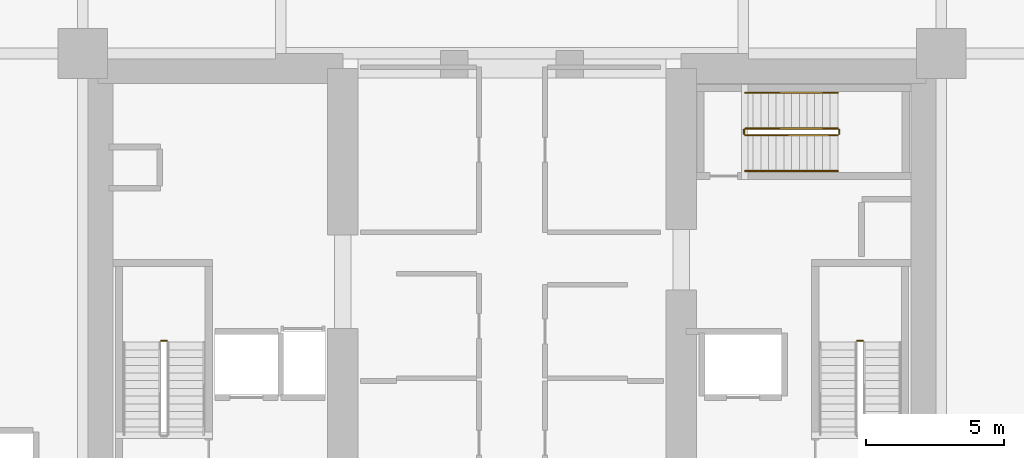
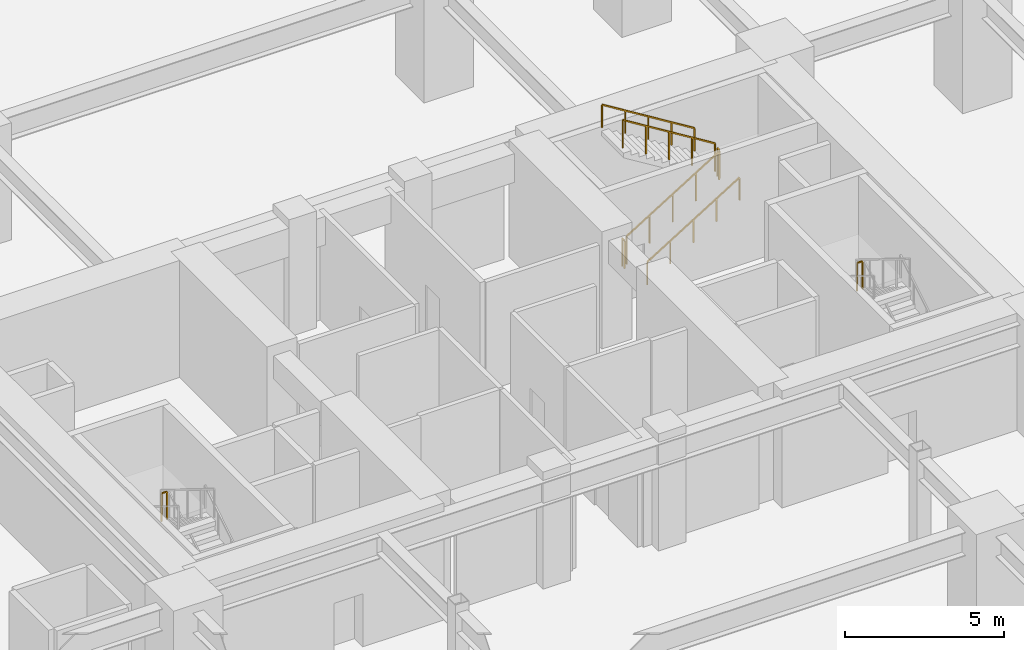
# One storey, part 17 of 20: 8 railings.
"""IFC4 building model written with IfcOpenShell, lengths in metres."""

from ifc_helpers import new_model, si_unit, direction, frame, origin, origin_2d, place, context, subcontext, project, spatial, rectangle, extrude, material, type_object, element, save


model = new_model("IFC4")

# Units and contexts
model_context = context("Model", 3, precision=1e-05, world=origin(), true_north=direction((0.0, 1.0)))
body_context = subcontext(model_context, "Body", "Model", "MODEL_VIEW")
ifc_project = project(units=[si_unit("LENGTHUNIT", "METRE"), si_unit("AREAUNIT", "SQUARE_METRE"), si_unit("VOLUMEUNIT", "CUBIC_METRE"), si_unit("PLANEANGLEUNIT", "RADIAN"), si_unit("MASSUNIT", "GRAM", prefix="KILO")], contexts=[model_context])

# Site, building, storey
site_placement = place(None, origin())
site = spatial("IfcSite", under=ifc_project, at=site_placement, CompositionType="ELEMENT")
building_placement = place(site_placement, origin())
building = spatial("IfcBuilding", under=site, at=building_placement, Name="Kiyonajd Concourse Tower", CompositionType="ELEMENT")
storey_placement = place(building_placement, frame((0.0, 0.0, -4.5)))
storey = spatial("IfcBuildingStorey", under=building, at=storey_placement, Name="B1", CompositionType="ELEMENT", Elevation=-4.5)

# Railings
ifc_material_1 = material(Name="Steel ASTM A500 Grade C", Category="steel")
railing_type_1 = type_object("IfcRailingType", Name="RL-GRD-STR", PredefinedType="GUARDRAIL", material=ifc_material_1)
for number, where, name in (
    (1, (35.449951171875, 33.9599609375, 2.25), "B1 ST1 stair guard 2"),
    (2, (60.75, 33.9599609375, 2.25), "B1 ST2 stair guard 2"),
):
    element("IfcRailing", number, at=place(storey_placement, frame(where)), inside=storey, type_object=railing_type_1, Name=name, PredefinedType="GUARDRAIL", context=body_context, shape_type="SweptSolid", body=[
        extrude(rectangle(XDim=0.048095703125, YDim=0.048095703125, at=origin_2d()), frame((0.0, 0.0, 1.076171875), z_axis=(-1.0, 0.0, 0.0), x_axis=(0.0, -1.0, 0.0)), (0.0, 0.0, 1.0), 0.199951171875),
        extrude(rectangle(XDim=0.0419921875, YDim=0.0419921875, at=origin_2d()), origin(), (0.0, 0.0, 1.0), 1.052001953125),
        extrude(rectangle(XDim=0.0419921875, YDim=0.0419921875, at=origin_2d()), frame((-0.199951171875, 0.0, 0.0)), (0.0, 0.0, 1.0), 1.052001953125),
    ])
railing_1_placement = place(storey_placement, frame((56.47998046875, 41.429931640625, 0.173095703125)))
element("IfcRailing", 3, at=railing_1_placement, inside=storey, type_object=railing_type_1, Name="B1 ST3 stair guard 1", PredefinedType="GUARDRAIL", context=body_context, shape_type="SweptSolid", body=[
    extrude(rectangle(XDim=0.048095703125, YDim=0.048095703125, at=origin_2d()), frame((0.0, 0.0, 1.076171875), z_axis=(0.850623216509, 0.0, 0.525775754039), x_axis=(0.0, 1.0, 0.0)), (0.0, 0.0, 1.0), 3.9501953125),
    extrude(rectangle(XDim=0.0419921875, YDim=0.0419921875, at=origin_2d()), origin(), (0.0, 0.0, 1.0), 1.052001953125),
    extrude(rectangle(XDim=0.0419921875, YDim=0.0419921875, at=origin_2d()), frame((0.840087890625, 0.0, 0.519287109375)), (0.0, 0.0, 1.0), 1.052001953125),
    extrude(rectangle(XDim=0.0419921875, YDim=0.0419921875, at=origin_2d()), frame((1.68017578125, 0.0, 1.03857421875)), (0.0, 0.0, 1.0), 1.052001953125),
    extrude(rectangle(XDim=0.0419921875, YDim=0.0419921875, at=origin_2d()), frame((2.52001953125, 0.0, 1.5576171875)), (0.0, 0.0, 1.0), 1.052001953125),
    extrude(rectangle(XDim=0.0419921875, YDim=0.0419921875, at=origin_2d()), frame((3.360107421875, 0.0, 2.076904296875)), (0.0, 0.0, 1.0), 1.052001953125),
])
railing_2_placement = place(storey_placement, frame((59.889892578125, 41.47998046875, 2.25)))
element("IfcRailing", 4, at=railing_2_placement, inside=storey, type_object=railing_type_1, Name="B1 ST3 stair guard 2", PredefinedType="GUARDRAIL", context=body_context, shape_type="SweptSolid", body=[
    extrude(rectangle(XDim=0.048095703125, YDim=0.048095703125, at=origin_2d()), frame((0.0, 0.0, 1.076171875), z_axis=(0.0, 1.0, 0.0), x_axis=(-1.0, 0.0, 0.0)), (0.0, 0.0, 1.0), 0.14013671875),
    extrude(rectangle(XDim=0.0419921875, YDim=0.0419921875, at=origin_2d()), origin(), (0.0, 0.0, 1.0), 1.052001953125),
    extrude(rectangle(XDim=0.0419921875, YDim=0.0419921875, at=origin_2d()), frame((0.0, 0.14013671875, 0.0)), (0.0, 0.0, 1.0), 1.052001953125),
])
railing_3_placement = place(storey_placement, frame((59.840087890625, 41.669921875, 2.423095703125)))
element("IfcRailing", 5, at=railing_3_placement, inside=storey, type_object=railing_type_1, Name="B1 ST3 stair guard 3", PredefinedType="GUARDRAIL", context=body_context, shape_type="SweptSolid", body=[
    extrude(rectangle(XDim=0.048095703125, YDim=0.048095703125, at=origin_2d()), frame((0.0, 0.0, 1.076171875), z_axis=(-0.850623216509, 0.0, 0.525775754039), x_axis=(0.0, -1.0, 0.0)), (0.0, 0.0, 1.0), 3.9501953125),
    extrude(rectangle(XDim=0.0419921875, YDim=0.0419921875, at=origin_2d()), origin(), (0.0, 0.0, 1.0), 1.052001953125),
    extrude(rectangle(XDim=0.0419921875, YDim=0.0419921875, at=origin_2d()), frame((-0.840087890625, 0.0, 0.519287109375)), (0.0, 0.0, 1.0), 1.052001953125),
    extrude(rectangle(XDim=0.0419921875, YDim=0.0419921875, at=origin_2d()), frame((-1.68017578125, 0.0, 1.03857421875)), (0.0, 0.0, 1.0), 1.052001953125),
    extrude(rectangle(XDim=0.0419921875, YDim=0.0419921875, at=origin_2d()), frame((-2.52001953125, 0.0, 1.5576171875)), (0.0, 0.0, 1.0), 1.052001953125),
    extrude(rectangle(XDim=0.0419921875, YDim=0.0419921875, at=origin_2d()), frame((-3.360107421875, 0.0, 2.076904296875)), (0.0, 0.0, 1.0), 1.052001953125),
])
railing_4_placement = place(storey_placement, frame((56.429931640625, 41.47998046875, 0.0)))
element("IfcRailing", 6, at=railing_4_placement, inside=storey, type_object=railing_type_1, Name="B1 ST3 stair guard 4", PredefinedType="GUARDRAIL", context=body_context, shape_type="SweptSolid", body=[
    extrude(rectangle(XDim=0.048095703125, YDim=0.048095703125, at=origin_2d()), frame((0.0, 0.0, 1.076171875), z_axis=(0.0, 1.0, 0.0), x_axis=(-1.0, 0.0, 0.0)), (0.0, 0.0, 1.0), 0.14013671875),
    extrude(rectangle(XDim=0.0419921875, YDim=0.0419921875, at=origin_2d()), origin(), (0.0, 0.0, 1.0), 1.052001953125),
    extrude(rectangle(XDim=0.0419921875, YDim=0.0419921875, at=origin_2d()), frame((0.0, 0.14013671875, 0.0)), (0.0, 0.0, 1.0), 1.052001953125),
])
ifc_material_2 = material(Name="Brushed Stainless Steel Cab Assembly", Category="steel")
railing_type_2 = type_object("IfcRailingType", Name="RL-HND-900", PredefinedType="HANDRAIL", material=ifc_material_2)
railing_5_placement = place(storey_placement, frame((56.47998046875, 40.1298828125, 0.173095703125)))
element("IfcRailing", 7, at=railing_5_placement, inside=storey, type_object=railing_type_2, Name="B1 ST3 stair handrail 1", PredefinedType="HANDRAIL", context=body_context, shape_type="SweptSolid", body=[
    extrude(rectangle(XDim=0.048095703125, YDim=0.048095703125, at=origin_2d()), frame((0.0, 0.0, 0.8759765625), z_axis=(0.850623216509, 0.0, 0.525775754039), x_axis=(0.0, 1.0, 0.0)), (0.0, 0.0, 1.0), 3.9501953125),
    extrude(rectangle(XDim=0.0419921875, YDim=0.0419921875, at=origin_2d()), origin(), (0.0, 0.0, 1.0), 0.851806640625),
    extrude(rectangle(XDim=0.0419921875, YDim=0.0419921875, at=origin_2d()), frame((0.840087890625, 0.0, 0.519287109375)), (0.0, 0.0, 1.0), 0.851806640625),
    extrude(rectangle(XDim=0.0419921875, YDim=0.0419921875, at=origin_2d()), frame((1.68017578125, 0.0, 1.03857421875)), (0.0, 0.0, 1.0), 0.851806640625),
    extrude(rectangle(XDim=0.0419921875, YDim=0.0419921875, at=origin_2d()), frame((2.52001953125, 0.0, 1.5576171875)), (0.0, 0.0, 1.0), 0.851806640625),
    extrude(rectangle(XDim=0.0419921875, YDim=0.0419921875, at=origin_2d()), frame((3.360107421875, 0.0, 2.076904296875)), (0.0, 0.0, 1.0), 0.851806640625),
])
railing_6_placement = place(storey_placement, frame((59.840087890625, 42.969970703125, 2.423095703125)))
element("IfcRailing", 8, at=railing_6_placement, inside=storey, type_object=railing_type_2, Name="B1 ST3 stair handrail 2", PredefinedType="HANDRAIL", context=body_context, shape_type="SweptSolid", body=[
    extrude(rectangle(XDim=0.048095703125, YDim=0.048095703125, at=origin_2d()), frame((0.0, 0.0, 0.8759765625), z_axis=(-0.850623216509, 0.0, 0.525775754039), x_axis=(0.0, -1.0, 0.0)), (0.0, 0.0, 1.0), 3.9501953125),
    extrude(rectangle(XDim=0.0419921875, YDim=0.0419921875, at=origin_2d()), origin(), (0.0, 0.0, 1.0), 0.851806640625),
    extrude(rectangle(XDim=0.0419921875, YDim=0.0419921875, at=origin_2d()), frame((-0.840087890625, 0.0, 0.519287109375)), (0.0, 0.0, 1.0), 0.851806640625),
    extrude(rectangle(XDim=0.0419921875, YDim=0.0419921875, at=origin_2d()), frame((-1.68017578125, 0.0, 1.03857421875)), (0.0, 0.0, 1.0), 0.851806640625),
    extrude(rectangle(XDim=0.0419921875, YDim=0.0419921875, at=origin_2d()), frame((-2.52001953125, 0.0, 1.5576171875)), (0.0, 0.0, 1.0), 0.851806640625),
    extrude(rectangle(XDim=0.0419921875, YDim=0.0419921875, at=origin_2d()), frame((-3.360107421875, 0.0, 2.076904296875)), (0.0, 0.0, 1.0), 0.851806640625),
])

save(model, "model.ifc")
